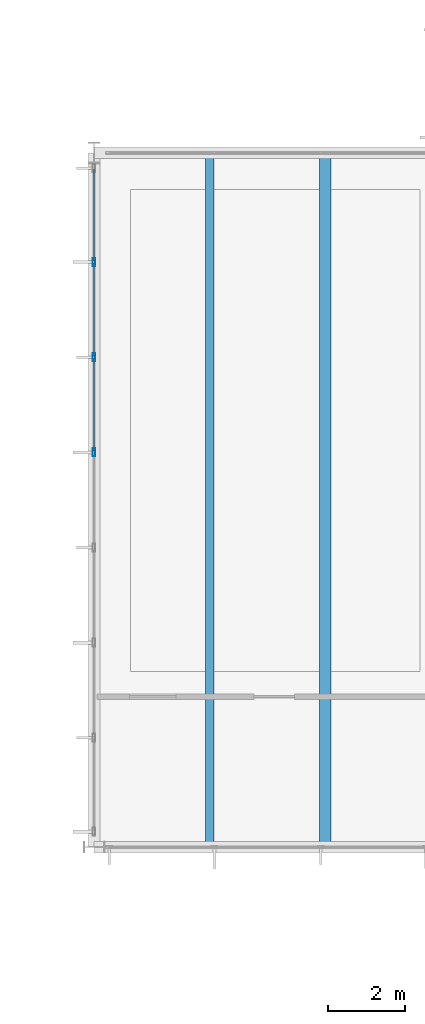
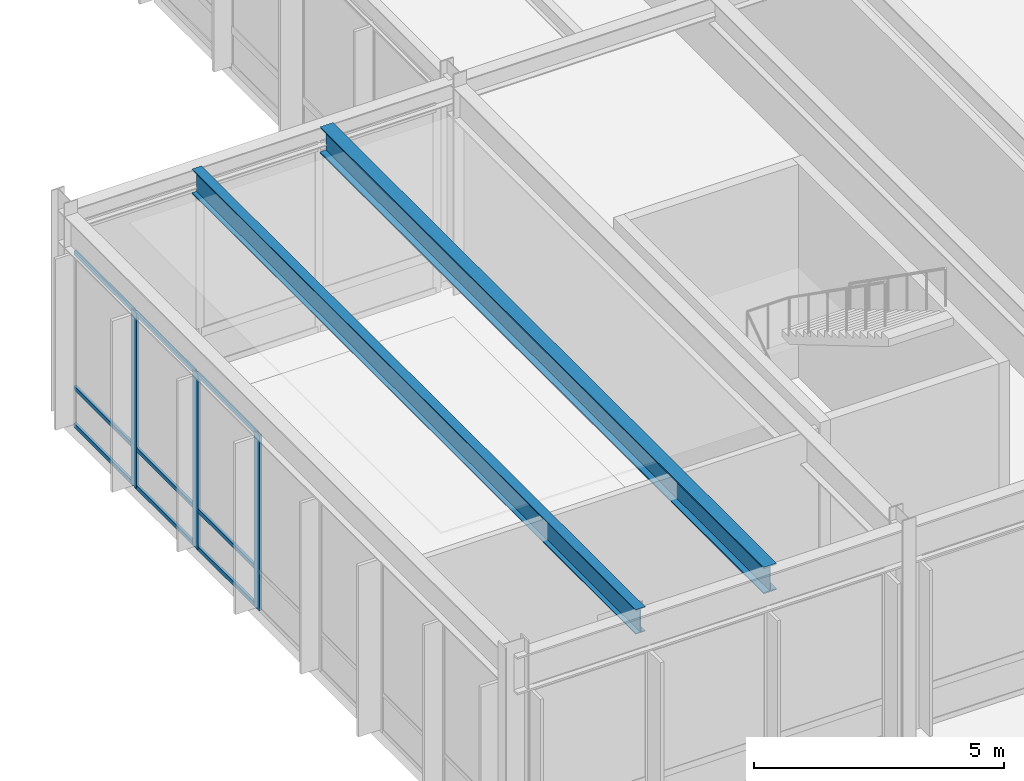
# One storey, part 56 of 143: 12 members, 2 beams, 1 element without a shape of its own.
"""IFC4 building model written with IfcOpenShell, lengths in metres."""

from ifc_helpers import new_model, si_unit, direction, frame, origin, origin_2d, place, context, subcontext, project, spatial, hollow_rectangle, i_section, extrude, material, layer, layer_set, material_profile, profile_set, type_object, element, aggregate, save


model = new_model("IFC4")

# Units and contexts
model_context = context("Model", 3, precision=1e-05, world=origin(), true_north=direction((0.0, 1.0)))
body_context = subcontext(model_context, "Body", "Model", "MODEL_VIEW")
ifc_project = project(units=[si_unit("LENGTHUNIT", "METRE"), si_unit("AREAUNIT", "SQUARE_METRE"), si_unit("VOLUMEUNIT", "CUBIC_METRE"), si_unit("PLANEANGLEUNIT", "RADIAN"), si_unit("MASSUNIT", "GRAM", prefix="KILO")], contexts=[model_context])

# Site, building, storey
site_placement = place(None, origin())
site = spatial("IfcSite", under=ifc_project, at=site_placement, CompositionType="ELEMENT")
building_placement = place(site_placement, origin())
building = spatial("IfcBuilding", under=site, at=building_placement, Name="Montelvaro Courts of Justice", CompositionType="ELEMENT")
storey_placement = place(building_placement, origin())
storey = spatial("IfcBuildingStorey", under=building, at=storey_placement, Name="L00", CompositionType="ELEMENT", Elevation=0.0)

# Beams
ifc_material_1 = material(Name="Steel S355", Category="steel")
ifc_material_profile_1 = material_profile(ifc_material_1, i_section(OverallWidth=0.300048828125, OverallDepth=0.64990234375, WebThickness=0.01611328125, FlangeThickness=0.031005859375, at=origin_2d()), Name="HEB 650")
ifc_profile_set_1 = profile_set([ifc_material_profile_1], Name="Steel S355")
beam_type_1 = type_object("IfcBeamType", Name="Beam_HEB650", PredefinedType="USERDEFINED", material=ifc_profile_set_1)
beam_1_placement = place(storey_placement, frame((24.0, 78.110107421875, 4.7548828125), z_axis=(0.0, 1.0, 0.0), x_axis=(-1.0, 0.0, 0.0)))
element("IfcBeam", 1, at=beam_1_placement, inside=storey, type_object=beam_type_1, Name="Beam B-27 L00", ObjectType="GIRDER", PredefinedType="USERDEFINED", context=body_context, shape_type="SweptSolid", body=[
    extrude(i_section(OverallWidth=0.300048828125, OverallDepth=0.64990234375, WebThickness=0.01611328125, FlangeThickness=0.031005859375, at=origin_2d()), origin(), (0.0, 0.0, 1.0), 17.77978515625),
])
ifc_material_profile_2 = material_profile(ifc_material_1, i_section(OverallWidth=0.219970703125, OverallDepth=0.60009765625, WebThickness=0.011962890625, FlangeThickness=0.01904296875, at=origin_2d()), Name="IPE 600")
ifc_profile_set_2 = profile_set([ifc_material_profile_2], Name="Steel S355")
beam_type_2 = type_object("IfcBeamType", Name="Beam_IPE600", PredefinedType="USERDEFINED", material=ifc_profile_set_2)
beam_2_placement = place(storey_placement, frame((21.0, 78.110107421875, 4.780029296875), z_axis=(0.0, 1.0, 0.0), x_axis=(-1.0, 0.0, 0.0)))
element("IfcBeam", 2, at=beam_2_placement, inside=storey, type_object=beam_type_2, Name="Beam B-12 L00", ObjectType="GIRDER", PredefinedType="USERDEFINED", context=body_context, shape_type="SweptSolid", body=[
    extrude(i_section(OverallWidth=0.219970703125, OverallDepth=0.60009765625, WebThickness=0.011962890625, FlangeThickness=0.01904296875, at=origin_2d()), origin(), (0.0, 0.0, 1.0), 17.77978515625),
])

# Curtain wall, members
ifc_material_2 = material(Name="Anodised aluminium EN AW-6063", Category="aluminium")
ifc_layer = layer(ifc_material_2, 0.159912109375)
ifc_layer_set = layer_set([ifc_layer], Name="Anodised aluminium EN AW-6063")
curtain_wall_type = type_object("IfcCurtainWallType", Name="CurtainWall_02_1727x508", PredefinedType="USERDEFINED", material=ifc_layer_set)
curtain_wall_placement = place(storey_placement, origin())
curtain_wall = element("IfcCurtainWall", 3, at=curtain_wall_placement, inside=storey, type_object=curtain_wall_type, Name="Curtain Wall CW-02 (L00)", ObjectType="CURTAIN WALL", PredefinedType="USERDEFINED")
ifc_material_profile_3 = material_profile(ifc_material_2, hollow_rectangle(XDim=0.06494140625, YDim=0.2099609375, WallThickness=0.0048828125, at=origin_2d()), Name="ALU-M 65x210")
ifc_profile_set_3 = profile_set([ifc_material_profile_3], Name="Anodised aluminium EN AW-6063")
member_type_1 = type_object("IfcMemberType", Name="CurtainWall_Mullion_65x210", PredefinedType="MULLION", material=ifc_profile_set_3)
member_1_placement = place(storey_placement, frame((18.0, 93.16796875, 0.0), z_axis=(0.0, 0.0, 1.0), x_axis=(1.0, 0.0, 0.0)))
member_1 = element("IfcMember", 4, at=member_1_placement, type_object=member_type_1, Name="CW-02 mullion 2", PredefinedType="MULLION", context=body_context, shape_type="SweptSolid", body=[
    extrude(hollow_rectangle(XDim=0.06494140625, YDim=0.2099609375, WallThickness=0.0048828125, at=origin_2d()), origin(), (0.0, 0.0, 1.0), 4.284912109375),
])
member_2_placement = place(storey_placement, frame((18.0, 90.70068359375, 0.0), z_axis=(0.0, 0.0, 1.0), x_axis=(1.0, 0.0, 0.0)))
member_2 = element("IfcMember", 5, at=member_2_placement, type_object=member_type_1, Name="CW-02 mullion 3", PredefinedType="MULLION", context=body_context, shape_type="SweptSolid", body=[
    extrude(hollow_rectangle(XDim=0.06494140625, YDim=0.2099609375, WallThickness=0.0048828125, at=origin_2d()), origin(), (0.0, 0.0, 1.0), 4.284912109375),
])
member_3_placement = place(storey_placement, frame((18.0, 88.233642578125, 0.0), z_axis=(0.0, 0.0, 1.0), x_axis=(1.0, 0.0, 0.0)))
member_3 = element("IfcMember", 6, at=member_3_placement, type_object=member_type_1, Name="CW-02 mullion 4", PredefinedType="MULLION", context=body_context, shape_type="SweptSolid", body=[
    extrude(hollow_rectangle(XDim=0.06494140625, YDim=0.2099609375, WallThickness=0.0048828125, at=origin_2d()), origin(), (0.0, 0.0, 1.0), 4.284912109375),
])
ifc_material_profile_4 = material_profile(ifc_material_2, hollow_rectangle(XDim=0.06005859375, YDim=0.10009765625, WallThickness=0.00341796875, at=origin_2d()), Name="ALU-T 60x100")
ifc_profile_set_4 = profile_set([ifc_material_profile_4], Name="Anodised aluminium EN AW-6063")
member_type_2 = type_object("IfcMemberType", Name="CurtainWall_Transom_60x100", PredefinedType="USERDEFINED", material=ifc_profile_set_4)
member_4_placement = place(storey_placement, frame((18.0, 95.570068359375, 0.030029296875), z_axis=(0.0, -1.0, 0.0), x_axis=(1.0, 0.0, 0.0)))
member_4 = element("IfcMember", 7, at=member_4_placement, type_object=member_type_2, Name="CW-02 transom 1.1", ObjectType="TRANSOM", PredefinedType="USERDEFINED", context=body_context, shape_type="SweptSolid", body=[
    extrude(hollow_rectangle(XDim=0.06005859375, YDim=0.10009765625, WallThickness=0.00341796875, at=origin_2d()), origin(), (0.0, 0.0, 1.0), 2.36962890625),
])
member_5_placement = place(storey_placement, frame((18.0, 95.570068359375, 0.949951171875), z_axis=(0.0, -1.0, 0.0), x_axis=(1.0, 0.0, 0.0)))
member_5 = element("IfcMember", 8, at=member_5_placement, type_object=member_type_2, Name="CW-02 transom 1.2", ObjectType="TRANSOM", PredefinedType="USERDEFINED", context=body_context, shape_type="SweptSolid", body=[
    extrude(hollow_rectangle(XDim=0.06005859375, YDim=0.10009765625, WallThickness=0.00341796875, at=origin_2d()), origin(), (0.0, 0.0, 1.0), 2.36962890625),
])
member_6_placement = place(storey_placement, frame((18.0, 95.570068359375, 4.2548828125), z_axis=(0.0, -1.0, 0.0), x_axis=(1.0, 0.0, 0.0)))
member_6 = element("IfcMember", 9, at=member_6_placement, type_object=member_type_2, Name="CW-02 transom 1.3", ObjectType="TRANSOM", PredefinedType="USERDEFINED", context=body_context, shape_type="SweptSolid", body=[
    extrude(hollow_rectangle(XDim=0.06005859375, YDim=0.10009765625, WallThickness=0.00341796875, at=origin_2d()), origin(), (0.0, 0.0, 1.0), 2.36962890625),
])
member_7_placement = place(storey_placement, frame((18.0, 93.13525390625, 0.030029296875), z_axis=(0.0, -1.0, 0.0), x_axis=(1.0, 0.0, 0.0)))
member_7 = element("IfcMember", 10, at=member_7_placement, type_object=member_type_2, Name="CW-02 transom 2.1", ObjectType="TRANSOM", PredefinedType="USERDEFINED", context=body_context, shape_type="SweptSolid", body=[
    extrude(hollow_rectangle(XDim=0.06005859375, YDim=0.10009765625, WallThickness=0.00341796875, at=origin_2d()), origin(), (0.0, 0.0, 1.0), 2.402099609375),
])
member_8_placement = place(storey_placement, frame((18.0, 93.13525390625, 0.949951171875), z_axis=(0.0, -1.0, 0.0), x_axis=(1.0, 0.0, 0.0)))
member_8 = element("IfcMember", 11, at=member_8_placement, type_object=member_type_2, Name="CW-02 transom 2.2", ObjectType="TRANSOM", PredefinedType="USERDEFINED", context=body_context, shape_type="SweptSolid", body=[
    extrude(hollow_rectangle(XDim=0.06005859375, YDim=0.10009765625, WallThickness=0.00341796875, at=origin_2d()), origin(), (0.0, 0.0, 1.0), 2.402099609375),
])
member_9_placement = place(storey_placement, frame((18.0, 93.13525390625, 4.2548828125), z_axis=(0.0, -1.0, 0.0), x_axis=(1.0, 0.0, 0.0)))
member_9 = element("IfcMember", 12, at=member_9_placement, type_object=member_type_2, Name="CW-02 transom 2.3", ObjectType="TRANSOM", PredefinedType="USERDEFINED", context=body_context, shape_type="SweptSolid", body=[
    extrude(hollow_rectangle(XDim=0.06005859375, YDim=0.10009765625, WallThickness=0.00341796875, at=origin_2d()), origin(), (0.0, 0.0, 1.0), 2.402099609375),
])
member_10_placement = place(storey_placement, frame((18.0, 90.668212890625, 0.030029296875), z_axis=(0.0, -1.0, 0.0), x_axis=(1.0, 0.0, 0.0)))
member_10 = element("IfcMember", 13, at=member_10_placement, type_object=member_type_2, Name="CW-02 transom 3.1", ObjectType="TRANSOM", PredefinedType="USERDEFINED", context=body_context, shape_type="SweptSolid", body=[
    extrude(hollow_rectangle(XDim=0.06005859375, YDim=0.10009765625, WallThickness=0.00341796875, at=origin_2d()), origin(), (0.0, 0.0, 1.0), 2.402099609375),
])
member_11_placement = place(storey_placement, frame((18.0, 90.668212890625, 0.949951171875), z_axis=(0.0, -1.0, 0.0), x_axis=(1.0, 0.0, 0.0)))
member_11 = element("IfcMember", 14, at=member_11_placement, type_object=member_type_2, Name="CW-02 transom 3.2", ObjectType="TRANSOM", PredefinedType="USERDEFINED", context=body_context, shape_type="SweptSolid", body=[
    extrude(hollow_rectangle(XDim=0.06005859375, YDim=0.10009765625, WallThickness=0.00341796875, at=origin_2d()), origin(), (0.0, 0.0, 1.0), 2.402099609375),
])
member_12_placement = place(storey_placement, frame((18.0, 90.668212890625, 4.2548828125), z_axis=(0.0, -1.0, 0.0), x_axis=(1.0, 0.0, 0.0)))
member_12 = element("IfcMember", 15, at=member_12_placement, type_object=member_type_2, Name="CW-02 transom 3.3", ObjectType="TRANSOM", PredefinedType="USERDEFINED", context=body_context, shape_type="SweptSolid", body=[
    extrude(hollow_rectangle(XDim=0.06005859375, YDim=0.10009765625, WallThickness=0.00341796875, at=origin_2d()), origin(), (0.0, 0.0, 1.0), 2.402099609375),
])
aggregate(curtain_wall, [member_1, member_2, member_3, member_4, member_5, member_6, member_7, member_8, member_9, member_10, member_11, member_12])

save(model, "model.ifc")
